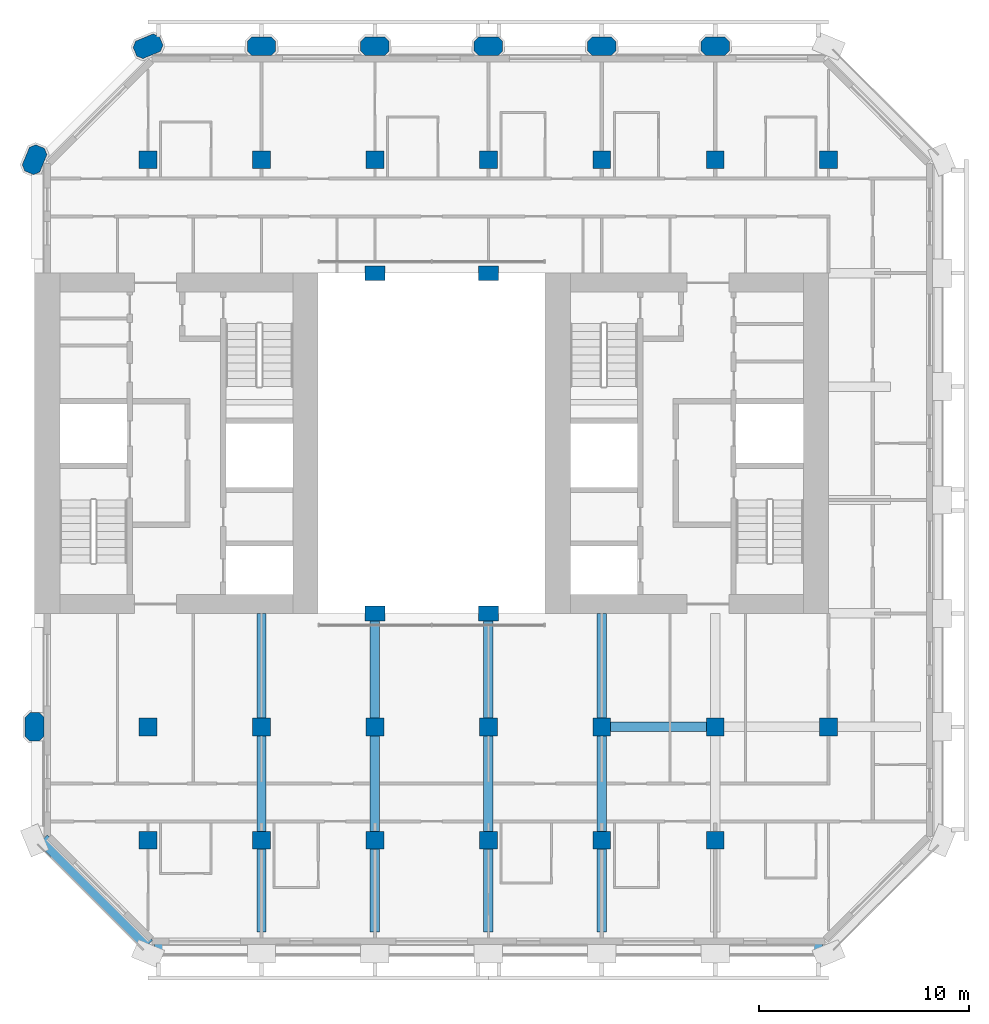
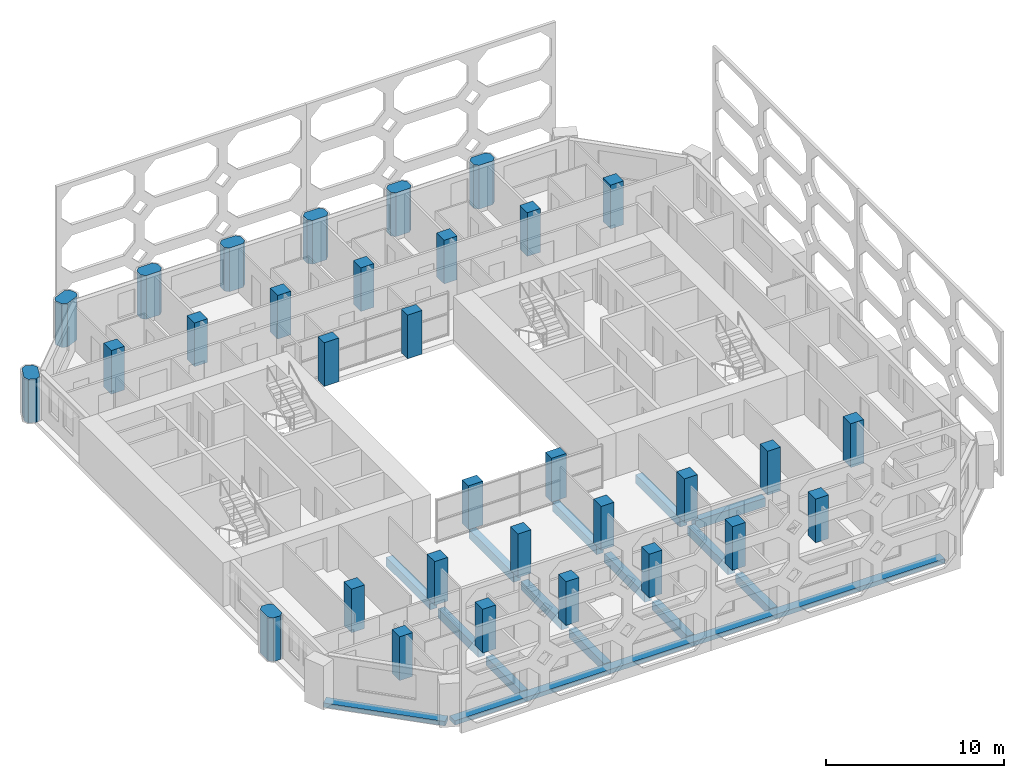
# One storey, part 1 of 14: 32 columns, 15 beams.
"""IFC4 building model written with IfcOpenShell, lengths in metres."""

from ifc_helpers import new_model, si_unit, direction, frame, origin, origin_2d, place, context, subcontext, project, spatial, polyline, rectangle, outline, extrude, material, material_profile, profile_set, type_object, element, save


model = new_model("IFC4")

# Units and contexts
model_context = context("Model", 3, precision=1e-05, world=origin(), true_north=direction((0.0, 1.0)))
body_context = subcontext(model_context, "Body", "Model", "MODEL_VIEW")
ifc_project = project(units=[si_unit("LENGTHUNIT", "METRE"), si_unit("AREAUNIT", "SQUARE_METRE"), si_unit("VOLUMEUNIT", "CUBIC_METRE"), si_unit("PLANEANGLEUNIT", "RADIAN"), si_unit("MASSUNIT", "GRAM", prefix="KILO")], contexts=[model_context])

# Site, building, storey
site_placement = place(None, origin())
site = spatial("IfcSite", under=ifc_project, at=site_placement, CompositionType="ELEMENT")
building_placement = place(site_placement, origin())
building = spatial("IfcBuilding", under=site, at=building_placement, Name="Tabaq Tower and Sports Hall", CompositionType="ELEMENT")
storey_placement = place(building_placement, frame((0.0, 0.0, 166.0)))
storey = spatial("IfcBuildingStorey", under=building, at=storey_placement, Name="L39", CompositionType="ELEMENT", Elevation=166.0)

# Columns
ifc_material_1 = material(Name="Concrete C50/60", Category="concrete")
ifc_material_profile_1 = material_profile(ifc_material_1, rectangle(XDim=0.949951171875, YDim=0.699951171875, at=origin_2d()), Name="ATRIUM COLUMN 950x700")
ifc_profile_set_1 = profile_set([ifc_material_profile_1], Name="Concrete C50/60")
column_type_1 = type_object("IfcColumnType", Name="RC COLUMN ATRIUM COLUMN 950x700 C50/60", PredefinedType="COLUMN", material=ifc_profile_set_1)
for number, where, z_axis, x_axis, name in (
    (1, (21.60009765625, 16.199951171875, 0.0), (0.0, 0.0, 1.0), (1.0, 0.0, 0.0), "Atrium Column 5/D L39"),
    (2, (27.0, 16.199951171875, 0.0), (0.0, 0.0, 1.0), (1.0, 0.0, 0.0), "Atrium Column 6/D L39"),
    (3, (21.60009765625, 32.39990234375, 0.0), (0.0, 0.0, 1.0), (1.0, 0.0, 0.0), "Atrium Column 5/G L39"),
    (4, (27.0, 32.39990234375, 0.0), (0.0, 0.0, 1.0), (1.0, 0.0, 0.0), "Atrium Column 6/G L39"),
):
    element("IfcColumn", number, at=place(storey_placement, frame(where, z_axis=z_axis, x_axis=x_axis)), inside=storey, type_object=column_type_1, Name=name, PredefinedType="COLUMN", context=body_context, shape_type="SweptSolid", body=[
        extrude(rectangle(XDim=0.949951171875, YDim=0.699951171875, at=origin_2d()), origin(), (0.0, 0.0, 1.0), 3.0),
    ])
ifc_material_2 = material(Name="Concrete C50/60", Category="concrete")
ifc_material_profile_2 = material_profile(ifc_material_2, rectangle(XDim=0.85009765625, YDim=0.85009765625, at=origin_2d()), Name="COLUMN 850x850")
ifc_profile_set_2 = profile_set([ifc_material_profile_2], Name="Concrete C50/60")
column_type_2 = type_object("IfcColumnType", Name="RC COLUMN COLUMN 850x850 C50/60", PredefinedType="COLUMN", material=ifc_profile_set_2)
for number, where, z_axis, x_axis, name in (
    (5, (10.800048828125, 5.39990234375, 0.0), (0.0, 0.0, 1.0), (1.0, 0.0, 0.0), "Column 3/B L39"),
    (6, (16.199951171875, 5.39990234375, 0.0), (0.0, 0.0, 1.0), (1.0, 0.0, 0.0), "Column 4/B L39"),
    (7, (21.60009765625, 5.39990234375, 0.0), (0.0, 0.0, 1.0), (1.0, 0.0, 0.0), "Column 5/B L39"),
    (8, (27.0, 5.39990234375, 0.0), (0.0, 0.0, 1.0), (1.0, 0.0, 0.0), "Column 6/B L39"),
    (9, (32.39990234375, 5.39990234375, 0.0), (0.0, 0.0, 1.0), (1.0, 0.0, 0.0), "Column 7/B L39"),
    (10, (37.800048828125, 5.39990234375, 0.0), (0.0, 0.0, 1.0), (1.0, 0.0, 0.0), "Column 8/B L39"),
    (11, (10.800048828125, 10.800048828125, 0.0), (0.0, 0.0, 1.0), (1.0, 0.0, 0.0), "Column 3/C L39"),
    (12, (16.199951171875, 10.800048828125, 0.0), (0.0, 0.0, 1.0), (1.0, 0.0, 0.0), "Column 4/C L39"),
    (13, (21.60009765625, 10.800048828125, 0.0), (0.0, 0.0, 1.0), (1.0, 0.0, 0.0), "Column 5/C L39"),
    (14, (27.0, 10.800048828125, 0.0), (0.0, 0.0, 1.0), (1.0, 0.0, 0.0), "Column 6/C L39"),
    (15, (32.39990234375, 10.800048828125, 0.0), (0.0, 0.0, 1.0), (1.0, 0.0, 0.0), "Column 7/C L39"),
    (16, (37.800048828125, 10.800048828125, 0.0), (0.0, 0.0, 1.0), (1.0, 0.0, 0.0), "Column 8/C L39"),
    (17, (43.199951171875, 10.800048828125, 0.0), (0.0, 0.0, 1.0), (1.0, 0.0, 0.0), "Column 9/C L39"),
    (18, (10.800048828125, 37.800048828125, 0.0), (0.0, 0.0, 1.0), (1.0, 0.0, 0.0), "Column 3/H L39"),
    (19, (16.199951171875, 37.800048828125, 0.0), (0.0, 0.0, 1.0), (1.0, 0.0, 0.0), "Column 4/H L39"),
    (20, (21.60009765625, 37.800048828125, 0.0), (0.0, 0.0, 1.0), (1.0, 0.0, 0.0), "Column 5/H L39"),
    (21, (27.0, 37.800048828125, 0.0), (0.0, 0.0, 1.0), (1.0, 0.0, 0.0), "Column 6/H L39"),
    (22, (32.39990234375, 37.800048828125, 0.0), (0.0, 0.0, 1.0), (1.0, 0.0, 0.0), "Column 7/H L39"),
    (23, (37.800048828125, 37.800048828125, 0.0), (0.0, 0.0, 1.0), (1.0, 0.0, 0.0), "Column 8/H L39"),
    (24, (43.199951171875, 37.800048828125, 0.0), (0.0, 0.0, 1.0), (1.0, 0.0, 0.0), "Column 9/H L39"),
):
    element("IfcColumn", number, at=place(storey_placement, frame(where, z_axis=z_axis, x_axis=x_axis)), inside=storey, type_object=column_type_2, Name=name, PredefinedType="COLUMN", context=body_context, shape_type="SweptSolid", body=[
        extrude(rectangle(XDim=0.85009765625, YDim=0.85009765625, at=origin_2d()), origin(), (0.0, 0.0, 1.0), 3.0),
    ])
ifc_material_3 = material(Name="Concrete C50/60", Category="concrete")
ifc_material_profile_3 = material_profile(ifc_material_3, outline(polyline([(-0.449951171875, -0.449951171875), (0.449951171875, -0.449951171875), (0.675048828125, -0.22509765625), (0.675048828125, 0.22509765625), (0.449951171875, 0.449951171875), (-0.449951171875, 0.449951171875), (-0.675048828125, 0.22509765625), (-0.675048828125, -0.22509765625), (-0.449951171875, -0.449951171875)])), Name="PIER 1350x900")
ifc_profile_set_3 = profile_set([ifc_material_profile_3], Name="Concrete C50/60")
column_type_3 = type_object("IfcColumnType", Name="RC COLUMN PIER 1350x900 C50/60", PredefinedType="COLUMN", material=ifc_profile_set_3)
for number, where, z_axis, x_axis, name in (
    (25, (5.39990234375, 10.800048828125, 0.0), (0.0, 0.0, 1.0), (0.0, 1.0, 0.0), "Pier 2/C L39"),
    (26, (5.39990234375, 37.800048828125, 0.0), (0.0, 0.0, 1.0), (0.382683432365, 0.923879532511, 0.0), "Pier 2/H L39"),
    (27, (10.800048828125, 43.199951171875, 0.0), (0.0, 0.0, 1.0), (0.923879532511, 0.382683432365, 0.0), "Pier 3/I L39"),
    (28, (16.199951171875, 43.199951171875, 0.0), (0.0, 0.0, 1.0), (1.0, 0.0, 0.0), "Pier 4/I L39"),
    (29, (21.60009765625, 43.199951171875, 0.0), (0.0, 0.0, 1.0), (1.0, 0.0, 0.0), "Pier 5/I L39"),
    (30, (27.0, 43.199951171875, 0.0), (0.0, 0.0, 1.0), (1.0, 0.0, 0.0), "Pier 6/I L39"),
    (31, (32.39990234375, 43.199951171875, 0.0), (0.0, 0.0, 1.0), (1.0, 0.0, 0.0), "Pier 7/I L39"),
    (32, (37.800048828125, 43.199951171875, 0.0), (0.0, 0.0, 1.0), (1.0, 0.0, 0.0), "Pier 8/I L39"),
):
    element("IfcColumn", number, at=place(storey_placement, frame(where, z_axis=z_axis, x_axis=x_axis)), inside=storey, type_object=column_type_3, Name=name, PredefinedType="COLUMN", context=body_context, shape_type="SweptSolid", body=[
        extrude(outline(polyline([(-0.449951171875, -0.449951171875), (0.449951171875, -0.449951171875), (0.675048828125, -0.22509765625), (0.675048828125, 0.22509765625), (0.449951171875, 0.449951171875), (-0.449951171875, 0.449951171875), (-0.675048828125, 0.22509765625), (-0.675048828125, -0.22509765625), (-0.449951171875, -0.449951171875)])), origin(), (0.0, 0.0, 1.0), 3.0),
    ])

# Beams
ifc_material_4 = material(Name="Concrete C40/50", Category="concrete")
ifc_material_profile_4 = material_profile(ifc_material_4, rectangle(XDim=0.449951171875, YDim=0.60009765625, at=origin_2d()), Name="CB 450x600")
ifc_profile_set_4 = profile_set([ifc_material_profile_4], Name="Concrete C40/50")
beam_type_1 = type_object("IfcBeamType", Name="PT CANTILEVER BEAM CB 450x600 C40/50", PredefinedType="BEAM", material=ifc_profile_set_4)
beam_1_placement = place(storey_placement, frame((37.375, 10.800048828125, -0.60009765625), z_axis=(-1.0, 0.0, 0.0), x_axis=(0.0, -1.0, 0.0)))
element("IfcBeam", 33, at=beam_1_placement, inside=storey, type_object=beam_type_1, Name="Cantilever Beam L39 E2 span 3", PredefinedType="BEAM", context=body_context, shape_type="SweptSolid", body=[
    extrude(rectangle(XDim=0.449951171875, YDim=0.60009765625, at=origin_2d()), origin(), (0.0, 0.0, 1.0), 4.550048828125),
])
beam_2_placement = place(storey_placement, frame((16.199951171875, 1.02490234375, -0.60009765625), z_axis=(0.0, 1.0, 0.0), x_axis=(-1.0, 0.0, 0.0)))
element("IfcBeam", 34, at=beam_2_placement, inside=storey, type_object=beam_type_1, Name="Cantilever Beam L39 S3 span 1", PredefinedType="BEAM", context=body_context, shape_type="SweptSolid", body=[
    extrude(rectangle(XDim=0.449951171875, YDim=0.60009765625, at=origin_2d()), origin(), (0.0, 0.0, 1.0), 3.9501953125),
])
beam_3_placement = place(storey_placement, frame((16.199951171875, 5.824951171875, -0.60009765625), z_axis=(0.0, 1.0, 0.0), x_axis=(-1.0, 0.0, 0.0)))
element("IfcBeam", 35, at=beam_3_placement, inside=storey, type_object=beam_type_1, Name="Cantilever Beam L39 S3 span 2", PredefinedType="BEAM", context=body_context, shape_type="SweptSolid", body=[
    extrude(rectangle(XDim=0.449951171875, YDim=0.60009765625, at=origin_2d()), origin(), (0.0, 0.0, 1.0), 4.550048828125),
])
beam_4_placement = place(storey_placement, frame((16.199951171875, 11.22509765625, -0.60009765625), z_axis=(0.0, 1.0, 0.0), x_axis=(-1.0, 0.0, 0.0)))
element("IfcBeam", 36, at=beam_4_placement, inside=storey, type_object=beam_type_1, Name="Cantilever Beam L39 S3 span 3", PredefinedType="BEAM", context=body_context, shape_type="SweptSolid", body=[
    extrude(rectangle(XDim=0.449951171875, YDim=0.60009765625, at=origin_2d()), origin(), (0.0, 0.0, 1.0), 4.974853515625),
])
beam_5_placement = place(storey_placement, frame((21.60009765625, 1.02490234375, -0.60009765625), z_axis=(0.0, 1.0, 0.0), x_axis=(-1.0, 0.0, 0.0)))
element("IfcBeam", 37, at=beam_5_placement, inside=storey, type_object=beam_type_1, Name="Cantilever Beam L39 S4 span 1", PredefinedType="BEAM", context=body_context, shape_type="SweptSolid", body=[
    extrude(rectangle(XDim=0.449951171875, YDim=0.60009765625, at=origin_2d()), origin(), (0.0, 0.0, 1.0), 3.9501953125),
])
beam_6_placement = place(storey_placement, frame((21.60009765625, 5.824951171875, -0.60009765625), z_axis=(0.0, 1.0, 0.0), x_axis=(-1.0, 0.0, 0.0)))
element("IfcBeam", 38, at=beam_6_placement, inside=storey, type_object=beam_type_1, Name="Cantilever Beam L39 S4 span 2", PredefinedType="BEAM", context=body_context, shape_type="SweptSolid", body=[
    extrude(rectangle(XDim=0.449951171875, YDim=0.60009765625, at=origin_2d()), origin(), (0.0, 0.0, 1.0), 4.550048828125),
])
beam_7_placement = place(storey_placement, frame((21.60009765625, 11.22509765625, -0.60009765625), z_axis=(0.0, 1.0, 0.0), x_axis=(-1.0, 0.0, 0.0)))
element("IfcBeam", 39, at=beam_7_placement, inside=storey, type_object=beam_type_1, Name="Cantilever Beam L39 S4 span 3", PredefinedType="BEAM", context=body_context, shape_type="SweptSolid", body=[
    extrude(rectangle(XDim=0.449951171875, YDim=0.60009765625, at=origin_2d()), origin(), (0.0, 0.0, 1.0), 4.974853515625),
])
beam_8_placement = place(storey_placement, frame((27.0, 1.02490234375, -0.60009765625), z_axis=(0.0, 1.0, 0.0), x_axis=(-1.0, 0.0, 0.0)))
element("IfcBeam", 40, at=beam_8_placement, inside=storey, type_object=beam_type_1, Name="Cantilever Beam L39 S5 span 1", PredefinedType="BEAM", context=body_context, shape_type="SweptSolid", body=[
    extrude(rectangle(XDim=0.449951171875, YDim=0.60009765625, at=origin_2d()), origin(), (0.0, 0.0, 1.0), 3.9501953125),
])
beam_9_placement = place(storey_placement, frame((27.0, 5.824951171875, -0.60009765625), z_axis=(0.0, 1.0, 0.0), x_axis=(-1.0, 0.0, 0.0)))
element("IfcBeam", 41, at=beam_9_placement, inside=storey, type_object=beam_type_1, Name="Cantilever Beam L39 S5 span 2", PredefinedType="BEAM", context=body_context, shape_type="SweptSolid", body=[
    extrude(rectangle(XDim=0.449951171875, YDim=0.60009765625, at=origin_2d()), origin(), (0.0, 0.0, 1.0), 4.550048828125),
])
beam_10_placement = place(storey_placement, frame((27.0, 11.22509765625, -0.60009765625), z_axis=(0.0, 1.0, 0.0), x_axis=(-1.0, 0.0, 0.0)))
element("IfcBeam", 42, at=beam_10_placement, inside=storey, type_object=beam_type_1, Name="Cantilever Beam L39 S5 span 3", PredefinedType="BEAM", context=body_context, shape_type="SweptSolid", body=[
    extrude(rectangle(XDim=0.449951171875, YDim=0.60009765625, at=origin_2d()), origin(), (0.0, 0.0, 1.0), 4.974853515625),
])
beam_11_placement = place(storey_placement, frame((32.39990234375, 1.02490234375, -0.60009765625), z_axis=(0.0, 1.0, 0.0), x_axis=(-1.0, 0.0, 0.0)))
element("IfcBeam", 43, at=beam_11_placement, inside=storey, type_object=beam_type_1, Name="Cantilever Beam L39 S6 span 1", PredefinedType="BEAM", context=body_context, shape_type="SweptSolid", body=[
    extrude(rectangle(XDim=0.449951171875, YDim=0.60009765625, at=origin_2d()), origin(), (0.0, 0.0, 1.0), 3.9501953125),
])
beam_12_placement = place(storey_placement, frame((32.39990234375, 5.824951171875, -0.60009765625), z_axis=(0.0, 1.0, 0.0), x_axis=(-1.0, 0.0, 0.0)))
element("IfcBeam", 44, at=beam_12_placement, inside=storey, type_object=beam_type_1, Name="Cantilever Beam L39 S6 span 2", PredefinedType="BEAM", context=body_context, shape_type="SweptSolid", body=[
    extrude(rectangle(XDim=0.449951171875, YDim=0.60009765625, at=origin_2d()), origin(), (0.0, 0.0, 1.0), 4.550048828125),
])
beam_13_placement = place(storey_placement, frame((32.39990234375, 11.22509765625, -0.60009765625), z_axis=(0.0, 1.0, 0.0), x_axis=(-1.0, 0.0, 0.0)))
element("IfcBeam", 45, at=beam_13_placement, inside=storey, type_object=beam_type_1, Name="Cantilever Beam L39 S6 span 3", PredefinedType="BEAM", context=body_context, shape_type="SweptSolid", body=[
    extrude(rectangle(XDim=0.449951171875, YDim=0.60009765625, at=origin_2d()), origin(), (0.0, 0.0, 1.0), 4.974853515625),
])
ifc_material_5 = material(Name="Concrete C40/50", Category="concrete")
ifc_material_profile_5 = material_profile(ifc_material_5, rectangle(XDim=0.60009765625, YDim=0.300048828125, at=origin_2d()), Name="EB 600x300")
ifc_profile_set_5 = profile_set([ifc_material_profile_5], Name="Concrete C40/50")
beam_type_2 = type_object("IfcBeamType", Name="PT EDGE BEAM EB 600x300 C40/50", PredefinedType="SPANDREL", material=ifc_profile_set_5)
beam_14_placement = place(storey_placement, frame((11.0986328125, 0.300048828125, -0.14990234375), z_axis=(1.0, 0.0, 0.0), x_axis=(0.0, 1.0, 0.0)))
element("IfcBeam", 46, at=beam_14_placement, inside=storey, type_object=beam_type_2, Name="Edge Beam L39 1", PredefinedType="SPANDREL", context=body_context, shape_type="SweptSolid", body=[
    extrude(rectangle(XDim=0.60009765625, YDim=0.300048828125, at=origin_2d()), origin(), (0.0, 0.0, 1.0), 31.802734375),
])
beam_15_placement = place(storey_placement, frame((5.788818359375, 5.435302734375, -0.14990234375), z_axis=(0.707124002701, -0.707089559252, 0.0), x_axis=(0.707089559252, 0.707124002701, 0.0)))
element("IfcBeam", 47, at=beam_15_placement, inside=storey, type_object=beam_type_2, Name="Edge Beam L39 5", PredefinedType="SPANDREL", context=body_context, shape_type="SweptSolid", body=[
    extrude(rectangle(XDim=0.60009765625, YDim=0.300048828125, at=origin_2d()), origin(), (0.0, 0.0, 1.0), 7.088134765625),
])

save(model, "model.ifc")
